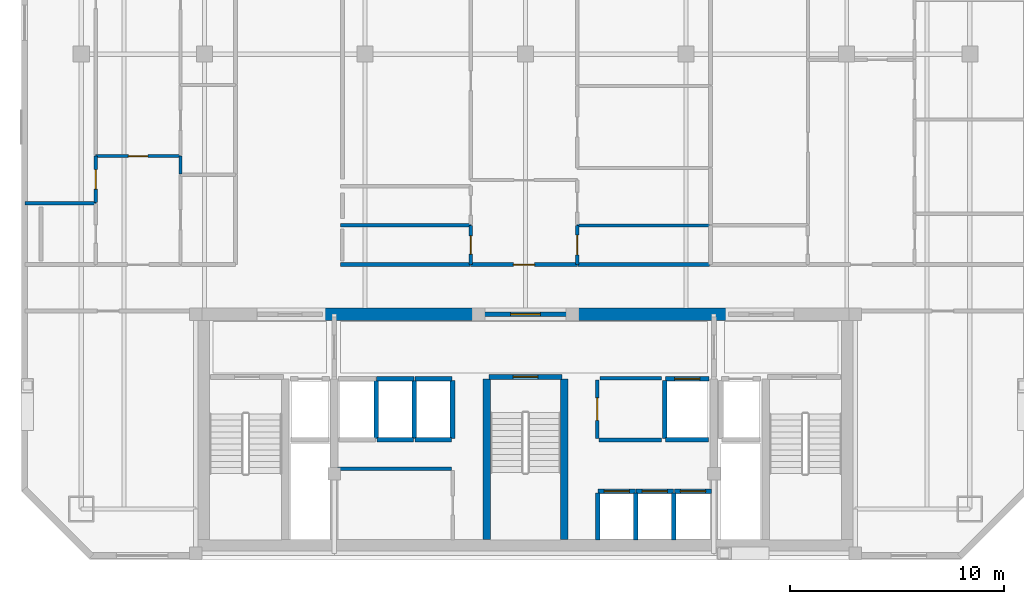
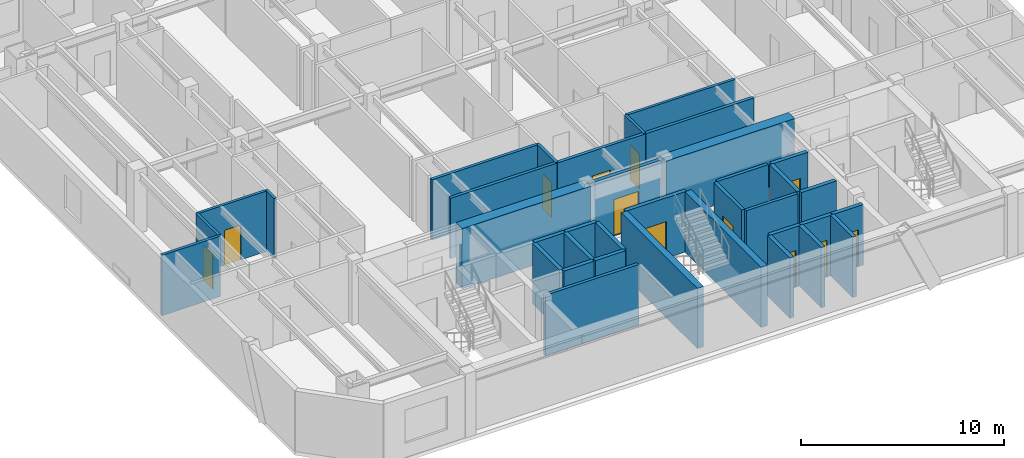
# One storey, part 3 of 8: 37 walls, 12 doors, 12 openings.
"""IFC4 building model written with IfcOpenShell, lengths in metres."""

from ifc_helpers import new_model, si_unit, direction, frame, frame_2d, origin, place, context, subcontext, project, spatial, rectangle, extrude, material, layer, layer_set, type_object, element, fill, save


model = new_model("IFC4")

# Units and contexts
model_context = context("Model", 3, precision=1e-05, world=origin(), true_north=direction((0.0, 1.0)))
body_context = subcontext(model_context, "Body", "Model", "MODEL_VIEW")
ifc_project = project(units=[si_unit("LENGTHUNIT", "METRE"), si_unit("AREAUNIT", "SQUARE_METRE"), si_unit("VOLUMEUNIT", "CUBIC_METRE"), si_unit("PLANEANGLEUNIT", "RADIAN"), si_unit("MASSUNIT", "GRAM", prefix="KILO")], contexts=[model_context])

# Site, building, storey
site_placement = place(None, origin())
site = spatial("IfcSite", under=ifc_project, at=site_placement, CompositionType="ELEMENT")
building_placement = place(site_placement, origin())
building = spatial("IfcBuilding", under=site, at=building_placement, Name="Ventersveld Concourse Tower", CompositionType="ELEMENT")
storey_placement = place(building_placement, frame((0.0, 0.0, 196.449951171875)))
storey = spatial("IfcBuildingStorey", under=building, at=storey_placement, Name="L48", CompositionType="ELEMENT", Elevation=196.449951171875)

# Walls
ifc_material_1 = material(Name="Concrete C50/60", Category="concrete")
ifc_layer_1 = layer(ifc_material_1, 0.35009765625)
ifc_layer_set_1 = layer_set([ifc_layer_1], Name="Concrete C50/60")
wall_type_1 = type_object("IfcWallType", Name="WL-CORE-350U", PredefinedType="SHEAR", material=ifc_layer_set_1)
for number, where, z_axis, x_axis, name in (
    (1, (26.93994140625, 0.919921875, 0.0), (0.0, 0.0, 1.0), (0.0, 1.0, 0.0), "L48 Core Internal Shear Web W-ST3-W"),
    (2, (30.56005859375, 0.919921875, 0.0), (0.0, 0.0, 1.0), (0.0, 1.0, 0.0), "L48 Core Internal Shear Web W-ST3-E"),
):
    element("IfcWall", number, at=place(storey_placement, frame(where, z_axis=z_axis, x_axis=x_axis)), inside=storey, type_object=wall_type_1, Name=name, PredefinedType="SHEAR", context=body_context, shape_type="SweptSolid", body=[
        extrude(rectangle(XDim=7.5, YDim=0.35009765625, at=frame_2d((3.75, 0.0))), origin(), (0.0, 0.0, 1.0), 3.630126953125),
    ])
ifc_layer_2 = layer(ifc_material_1, 0.60009765625)
ifc_layer_set_2 = layer_set([ifc_layer_2], Name="Concrete C50/60")
wall_type_2 = type_object("IfcWallType", Name="WL-CORE-600", PredefinedType="SHEAR", material=ifc_layer_set_2)
for number, where, z_axis, x_axis, name in (
    (3, (19.300048828125, 11.449951171875, 0.0), (0.0, 0.0, 1.0), (1.0, 0.0, 0.0), "L48 Rear Core North Shear Wall NML"),
    (4, (30.89990234375, 11.449951171875, 0.0), (0.0, 0.0, 1.0), (1.0, 0.0, 0.0), "L48 Rear Core North Shear Wall NMR"),
):
    element("IfcWall", number, at=place(storey_placement, frame(where, z_axis=z_axis, x_axis=x_axis)), inside=storey, type_object=wall_type_2, Name=name, PredefinedType="SHEAR", context=body_context, shape_type="SweptSolid", body=[
        extrude(rectangle(XDim=7.300048828125, YDim=0.60009765625, at=frame_2d((3.64990234375, 0.0))), origin(), (0.0, 0.0, 1.0), 3.630126953125),
    ])
ifc_material_2 = material(Name="Fire-rated autoclaved aerated masonry blockwork", Category="masonry")
ifc_layer_3 = layer(ifc_material_2, 0.179931640625)
ifc_layer_set_3 = layer_set([ifc_layer_3], Name="Fire-rated autoclaved aerated masonry blockwork")
wall_type_3 = type_object("IfcWallType", Name="WL-CORR-180", PredefinedType="PARTITIONING", material=ifc_layer_set_3)
wall_1_placement = place(storey_placement, frame((19.97998046875, 4.22998046875, 0.0), z_axis=(0.0, 0.0, 1.0), x_axis=(1.0, 0.0, 0.0)))
element("IfcWall", 5, at=wall_1_placement, inside=storey, type_object=wall_type_3, Name="L48 Core Top Wall SP-L48-RECB1A", PredefinedType="PARTITIONING", context=body_context, shape_type="SweptSolid", body=[
    extrude(rectangle(XDim=5.320068359375, YDim=0.179931640625, at=frame_2d((2.66015625, 0.0))), origin(), (0.0, 0.0, 1.0), 3.630126953125),
])

# Wall, opening, door
wall_2_placement = place(storey_placement, frame((32.10009765625, 5.64990234375, 0.0), z_axis=(0.0, 0.0, 1.0), x_axis=(0.0, 1.0, 0.0)))
wall_2 = element("IfcWall", 6, at=wall_2_placement, inside=storey, type_object=wall_type_3, Name="L48 Core Passage Wall SP-L48-CBAY1", PredefinedType="PARTITIONING", context=body_context, shape_type="SweptSolid", body=[
    extrude(rectangle(XDim=2.72998046875, YDim=0.179931640625, at=frame_2d((1.364990234375, 0.0))), origin(), (0.0, 0.0, 1.0), 3.630126953125),
])
opening_1_placement = place(wall_2_placement, frame((0.840087890625, 0.0, 0.0)))
opening_1 = element("IfcOpeningElement", 7, at=opening_1_placement, cuts=wall_2, Name="Opening ID3", PredefinedType="OPENING", context=body_context, shape_type="SweptSolid", body=[
    extrude(rectangle(XDim=1.050048828125, YDim=2.14990234375, at=frame_2d((0.52490234375, 1.074951171875))), frame((0.0, 0.10009765625, 0.0), z_axis=(0.0, -1.0, 0.0), x_axis=(1.0, 0.0, 0.0)), (0.0, 0.0, 1.0), 0.199951171875),
])
ifc_material_3 = material(Name="Solid-core hardwood veneer timber", Category="wood")
door_type_1 = type_object("IfcDoorType", Name="DR-AWC-105", OperationType="NOTDEFINED", PredefinedType="DOOR", material=ifc_material_3)
door_1_placement = place(opening_1_placement, origin())
door_1 = element("IfcDoor", 8, at=door_1_placement, inside=storey, type_object=door_type_1, Name="L48 Core Room Door L48 Core Unisex Accessible WC (CD-L48-2343)", OperationType="SINGLE_SWING_RIGHT", OverallHeight=2.14990234375, OverallWidth=1.050048828125, PredefinedType="DOOR", context=body_context, shape_type="SweptSolid", body=[
    extrude(rectangle(XDim=1.050048828125, YDim=2.14990234375, at=frame_2d((0.52490234375, 1.074951171875))), frame((0.0, 0.02490234375, 0.0), z_axis=(0.0, -1.0, 0.0), x_axis=(1.0, 0.0, 0.0)), (0.0, 0.0, 1.0), 0.050048828125),
])
fill(opening_1, door_1)

# Walls
wall_3_placement = place(storey_placement, frame((32.219970703125, 8.4599609375, 0.0), z_axis=(0.0, 0.0, 1.0), x_axis=(1.0, 0.0, 0.0)))
element("IfcWall", 9, at=wall_3_placement, inside=storey, type_object=wall_type_3, Name="L48 Core Top Wall SP-L48-CBAY1", PredefinedType="PARTITIONING", context=body_context, shape_type="SweptSolid", body=[
    extrude(rectangle(XDim=2.880126953125, YDim=0.179931640625, at=frame_2d((1.43994140625, 0.0))), origin(), (0.0, 0.0, 1.0), 3.630126953125),
])
wall_4_placement = place(storey_placement, frame((32.179931640625, 5.570068359375, 0.0), z_axis=(0.0, 0.0, 1.0), x_axis=(1.0, 0.0, 0.0)))
element("IfcWall", 10, at=wall_4_placement, inside=storey, type_object=wall_type_3, Name="L48 Core Bot Wall SP-L48-CBAY1", PredefinedType="PARTITIONING", context=body_context, shape_type="SweptSolid", body=[
    extrude(rectangle(XDim=2.920166015625, YDim=0.179931640625, at=frame_2d((1.4599609375, 0.0))), origin(), (0.0, 0.0, 1.0), 3.630126953125),
])

# Wall, opening, door
wall_5_placement = place(storey_placement, frame((26.183837890625, 13.77001953125, 0.0), z_axis=(0.0, 0.0, 1.0), x_axis=(1.0, 0.0, 0.0)))
wall_5 = element("IfcWall", 11, at=wall_5_placement, inside=storey, type_object=wall_type_3, Name="L48 Interior Partition SP-L48-COR-SP-L48-48CM-FOY", PredefinedType="PARTITIONING", context=body_context, shape_type="SweptSolid", body=[
    extrude(rectangle(XDim=4.989990234375, YDim=0.179931640625, at=frame_2d((2.4951171875, 0.0))), origin(), (0.0, 0.0, 1.0), 3.630126953125),
])
opening_2_placement = place(wall_5_placement, frame((1.9951171875, 0.0, 0.0)))
opening_2 = element("IfcOpeningElement", 12, at=opening_2_placement, cuts=wall_5, Name="Opening FD3", PredefinedType="OPENING", context=body_context, shape_type="SweptSolid", body=[
    extrude(rectangle(XDim=1.0, YDim=2.14990234375, at=frame_2d((0.5, 1.074951171875))), frame((0.0, 0.10009765625, 0.0), z_axis=(0.0, -1.0, 0.0), x_axis=(1.0, 0.0, 0.0)), (0.0, 0.0, 1.0), 0.199951171875),
])
door_type_2 = type_object("IfcDoorType", Name="DR-FLAT-100", OperationType="NOTDEFINED", PredefinedType="DOOR", material=ifc_material_3)
door_2_placement = place(opening_2_placement, origin())
door_2 = element("IfcDoor", 13, at=door_2_placement, inside=storey, type_object=door_type_2, Name="L48 Interior Door SP-L48-COR to SP-L48-48CM-FOY (FD-L48-2348)", OperationType="SINGLE_SWING_RIGHT", OverallHeight=2.14990234375, OverallWidth=1.0, PredefinedType="DOOR", context=body_context, shape_type="SweptSolid", body=[
    extrude(rectangle(XDim=1.0, YDim=2.14990234375, at=frame_2d((0.5, 1.074951171875))), frame((0.0, 0.02490234375, 0.0), z_axis=(0.0, -1.0, 0.0), x_axis=(1.0, 0.0, 0.0)), (0.0, 0.0, 1.0), 0.050048828125),
])
fill(opening_2, door_2)

# Walls
wall_6_placement = place(storey_placement, frame((20.10498046875, 13.77001953125, 0.0), z_axis=(0.0, 0.0, 1.0), x_axis=(1.0, 0.0, 0.0)))
element("IfcWall", 14, at=wall_6_placement, inside=storey, type_object=wall_type_3, Name="L48 Interior Partition SP-L48-COR-SP-L48-48CM-BATH", PredefinedType="PARTITIONING", context=body_context, shape_type="SweptSolid", body=[
    extrude(rectangle(XDim=6.048828125, YDim=0.179931640625, at=frame_2d((3.0244140625, 0.0))), origin(), (0.0, 0.0, 1.0), 3.630126953125),
])
wall_7_placement = place(storey_placement, frame((31.203857421875, 13.77001953125, 0.0), z_axis=(0.0, 0.0, 1.0), x_axis=(1.0, 0.0, 0.0)))
element("IfcWall", 15, at=wall_7_placement, inside=storey, type_object=wall_type_3, Name="L48 Interior Partition SP-L48-COR-SP-L48-48CM-KIT", PredefinedType="PARTITIONING", context=body_context, shape_type="SweptSolid", body=[
    extrude(rectangle(XDim=6.151123046875, YDim=0.179931640625, at=frame_2d((3.07568359375, 0.0))), origin(), (0.0, 0.0, 1.0), 3.630126953125),
])
ifc_layer_4 = layer(ifc_material_2, 0.219970703125)
ifc_layer_set_4 = layer_set([ifc_layer_4], Name="Fire-rated autoclaved aerated masonry blockwork")
wall_type_4 = type_object("IfcWallType", Name="WL-HOIST-220", PredefinedType="SOLIDWALL", material=ifc_layer_set_4)
wall_8_placement = place(storey_placement, frame((35.300048828125, 5.590087890625, 0.0), z_axis=(0.0, 0.0, 1.0), x_axis=(1.0, 0.0, 0.0)))
element("IfcWall", 16, at=wall_8_placement, inside=storey, type_object=wall_type_4, Name="L48 Lift Hoistway Back Wall SVL-01", PredefinedType="SOLIDWALL", context=body_context, shape_type="SweptSolid", body=[
    extrude(rectangle(XDim=2.0, YDim=0.219970703125, at=frame_2d((1.0, 0.0))), origin(), (0.0, 0.0, 1.0), 3.630126953125),
])
wall_9_placement = place(storey_placement, frame((35.260009765625, 5.64990234375, 0.0), z_axis=(0.0, 0.0, 1.0), x_axis=(0.0, 1.0, 0.0)))
element("IfcWall", 17, at=wall_9_placement, inside=storey, type_object=wall_type_4, Name="L48 Lift Hoistway Side Wall SVL-01W", PredefinedType="SOLIDWALL", context=body_context, shape_type="SweptSolid", body=[
    extrude(rectangle(XDim=2.7001953125, YDim=0.219970703125, at=frame_2d((1.35009765625, 0.0))), origin(), (0.0, 0.0, 1.0), 3.630126953125),
])

# Wall, opening, door
wall_10_placement = place(storey_placement, frame((35.280029296875, 8.429931640625, 0.0), z_axis=(0.0, 0.0, 1.0), x_axis=(1.0, 0.0, 0.0)))
wall_10 = element("IfcWall", 18, at=wall_10_placement, inside=storey, type_object=wall_type_4, Name="L48 Lift Hoistway Front Wall SVL-01", PredefinedType="SOLIDWALL", context=body_context, shape_type="SweptSolid", body=[
    extrude(rectangle(XDim=2.0400390625, YDim=0.219970703125, at=frame_2d((1.02001953125, 0.0))), origin(), (0.0, 0.0, 1.0), 3.630126953125),
])
opening_3_placement = place(wall_10_placement, frame((0.429931640625, 0.0, 0.0)))
opening_3 = element("IfcOpeningElement", 19, at=opening_3_placement, cuts=wall_10, Name="Opening LD2", PredefinedType="OPENING", context=body_context, shape_type="SweptSolid", body=[
    extrude(rectangle(XDim=1.179931640625, YDim=2.199951171875, at=frame_2d((0.58984375, 1.10009765625))), frame((0.0, 0.1201171875, 0.0), z_axis=(0.0, -1.0, 0.0), x_axis=(1.0, 0.0, 0.0)), (0.0, 0.0, 1.0), 0.239990234375),
])
ifc_material_4 = material(Name="Brushed stainless steel 316", Category="steel")
door_type_3 = type_object("IfcDoorType", Name="LD-PAX-118", OperationType="SLIDING_TO_LEFT", PredefinedType="DOOR", material=ifc_material_4)
door_3_placement = place(opening_3_placement, origin())
door_3 = element("IfcDoor", 20, at=door_3_placement, inside=storey, type_object=door_type_3, Name="L48 Lift landing door SVL-01 (LD-L48-SVL-01)", OperationType="SLIDING_TO_LEFT", OverallHeight=2.199951171875, OverallWidth=1.179931640625, PredefinedType="DOOR", context=body_context, shape_type="SweptSolid", body=[
    extrude(rectangle(XDim=1.179931640625, YDim=2.199951171875, at=frame_2d((0.58984375, 1.10009765625))), frame((0.0, 0.02490234375, 0.0), z_axis=(0.0, -1.0, 0.0), x_axis=(1.0, 0.0, 0.0)), (0.0, 0.0, 1.0), 0.050048828125),
])
fill(opening_3, door_3)

# Walls
for number, where, z_axis, x_axis, name in (
    (21, (32.1201171875, 0.89990234375, 0.0), (0.0, 0.0, 1.0), (0.0, 1.0, 0.0), "L48 Lift Hoistway Side Wall PM-01W"),
    (22, (33.89990234375, 0.89990234375, 0.0), (0.0, 0.0, 1.0), (0.0, 1.0, 0.0), "L48 Lift Hoistway Side Wall PM-01E"),
):
    element("IfcWall", number, at=place(storey_placement, frame(where, z_axis=z_axis, x_axis=x_axis)), inside=storey, type_object=wall_type_4, Name=name, PredefinedType="SOLIDWALL", context=body_context, shape_type="SweptSolid", body=[
        extrude(rectangle(XDim=2.2001953125, YDim=0.219970703125, at=frame_2d((1.10009765625, 0.0))), origin(), (0.0, 0.0, 1.0), 3.630126953125),
    ])

# Wall, opening, door
wall_11_placement = place(storey_placement, frame((32.139892578125, 3.179931640625, 0.0), z_axis=(0.0, 0.0, 1.0), x_axis=(1.0, 0.0, 0.0)))
wall_11 = element("IfcWall", 23, at=wall_11_placement, inside=storey, type_object=wall_type_4, Name="L48 Lift Hoistway Front Wall PM-01", PredefinedType="SOLIDWALL", context=body_context, shape_type="SweptSolid", body=[
    extrude(rectangle(XDim=1.739990234375, YDim=0.219970703125, at=frame_2d((0.8701171875, 0.0))), origin(), (0.0, 0.0, 1.0), 3.630126953125),
])
opening_4_placement = place(wall_11_placement, frame((0.280029296875, 0.0, 0.0)))
opening_4 = element("IfcOpeningElement", 24, at=opening_4_placement, cuts=wall_11, Name="Opening LD2", PredefinedType="OPENING", context=body_context, shape_type="SweptSolid", body=[
    extrude(rectangle(XDim=1.179931640625, YDim=2.199951171875, at=frame_2d((0.58984375, 1.10009765625))), frame((0.0, 0.1201171875, 0.0), z_axis=(0.0, -1.0, 0.0), x_axis=(1.0, 0.0, 0.0)), (0.0, 0.0, 1.0), 0.239990234375),
])
door_4_placement = place(opening_4_placement, origin())
door_4 = element("IfcDoor", 25, at=door_4_placement, inside=storey, type_object=door_type_3, Name="L48 Lift landing door PM-01 (LD-L48-PM-01)", OperationType="SLIDING_TO_RIGHT", OverallHeight=2.199951171875, OverallWidth=1.179931640625, PredefinedType="DOOR", context=body_context, shape_type="SweptSolid", body=[
    extrude(rectangle(XDim=1.179931640625, YDim=2.199951171875, at=frame_2d((0.58984375, 1.10009765625))), frame((0.0, 0.02490234375, 0.0), z_axis=(0.0, -1.0, 0.0), x_axis=(1.0, 0.0, 0.0)), (0.0, 0.0, 1.0), 0.050048828125),
])
fill(opening_4, door_4)

# Wall
wall_12_placement = place(storey_placement, frame((35.679931640625, 0.89990234375, 0.0), z_axis=(0.0, 0.0, 1.0), x_axis=(0.0, 1.0, 0.0)))
element("IfcWall", 26, at=wall_12_placement, inside=storey, type_object=wall_type_4, Name="L48 Lift Hoistway Side Wall PM-02E", PredefinedType="SOLIDWALL", context=body_context, shape_type="SweptSolid", body=[
    extrude(rectangle(XDim=2.2001953125, YDim=0.219970703125, at=frame_2d((1.10009765625, 0.0))), origin(), (0.0, 0.0, 1.0), 3.630126953125),
])

# Wall, opening, door
wall_13_placement = place(storey_placement, frame((33.919921875, 3.179931640625, 0.0), z_axis=(0.0, 0.0, 1.0), x_axis=(1.0, 0.0, 0.0)))
wall_13 = element("IfcWall", 27, at=wall_13_placement, inside=storey, type_object=wall_type_4, Name="L48 Lift Hoistway Front Wall PM-02", PredefinedType="SOLIDWALL", context=body_context, shape_type="SweptSolid", body=[
    extrude(rectangle(XDim=1.739990234375, YDim=0.219970703125, at=frame_2d((0.8701171875, 0.0))), origin(), (0.0, 0.0, 1.0), 3.630126953125),
])
opening_5_placement = place(wall_13_placement, frame((0.280029296875, 0.0, 0.0)))
opening_5 = element("IfcOpeningElement", 28, at=opening_5_placement, cuts=wall_13, Name="Opening LD2", PredefinedType="OPENING", context=body_context, shape_type="SweptSolid", body=[
    extrude(rectangle(XDim=1.179931640625, YDim=2.199951171875, at=frame_2d((0.58984375, 1.10009765625))), frame((0.0, 0.1201171875, 0.0), z_axis=(0.0, -1.0, 0.0), x_axis=(1.0, 0.0, 0.0)), (0.0, 0.0, 1.0), 0.239990234375),
])
door_5_placement = place(opening_5_placement, origin())
door_5 = element("IfcDoor", 29, at=door_5_placement, inside=storey, type_object=door_type_3, Name="L48 Lift landing door PM-02 (LD-L48-PM-02)", OperationType="SLIDING_TO_LEFT", OverallHeight=2.199951171875, OverallWidth=1.179931640625, PredefinedType="DOOR", context=body_context, shape_type="SweptSolid", body=[
    extrude(rectangle(XDim=1.179931640625, YDim=2.199951171875, at=frame_2d((0.58984375, 1.10009765625))), frame((0.0, 0.02490234375, 0.0), z_axis=(0.0, -1.0, 0.0), x_axis=(1.0, 0.0, 0.0)), (0.0, 0.0, 1.0), 0.050048828125),
])
fill(opening_5, door_5)

wall_14_placement = place(storey_placement, frame((35.699951171875, 3.179931640625, 0.0), z_axis=(0.0, 0.0, 1.0), x_axis=(1.0, 0.0, 0.0)))
wall_14 = element("IfcWall", 30, at=wall_14_placement, inside=storey, type_object=wall_type_4, Name="L48 Lift Hoistway Front Wall PM-03", PredefinedType="SOLIDWALL", context=body_context, shape_type="SweptSolid", body=[
    extrude(rectangle(XDim=1.739990234375, YDim=0.219970703125, at=frame_2d((0.8701171875, 0.0))), origin(), (0.0, 0.0, 1.0), 3.630126953125),
])
opening_6_placement = place(wall_14_placement, frame((0.280029296875, 0.0, 0.0)))
opening_6 = element("IfcOpeningElement", 31, at=opening_6_placement, cuts=wall_14, Name="Opening LD2", PredefinedType="OPENING", context=body_context, shape_type="SweptSolid", body=[
    extrude(rectangle(XDim=1.179931640625, YDim=2.199951171875, at=frame_2d((0.58984375, 1.10009765625))), frame((0.0, 0.1201171875, 0.0), z_axis=(0.0, -1.0, 0.0), x_axis=(1.0, 0.0, 0.0)), (0.0, 0.0, 1.0), 0.239990234375),
])
door_6_placement = place(opening_6_placement, origin())
door_6 = element("IfcDoor", 32, at=door_6_placement, inside=storey, type_object=door_type_3, Name="L48 Lift landing door PM-03 (LD-L48-PM-03)", OperationType="SLIDING_TO_RIGHT", OverallHeight=2.199951171875, OverallWidth=1.179931640625, PredefinedType="DOOR", context=body_context, shape_type="SweptSolid", body=[
    extrude(rectangle(XDim=1.179931640625, YDim=2.199951171875, at=frame_2d((0.58984375, 1.10009765625))), frame((0.0, 0.02490234375, 0.0), z_axis=(0.0, -1.0, 0.0), x_axis=(1.0, 0.0, 0.0)), (0.0, 0.0, 1.0), 0.050048828125),
])
fill(opening_6, door_6)

# Walls
wall_15_placement = place(storey_placement, frame((21.780029296875, 5.64990234375, 0.0), z_axis=(0.0, 0.0, 1.0), x_axis=(0.0, 1.0, 0.0)))
element("IfcWall", 33, at=wall_15_placement, inside=storey, type_object=wall_type_4, Name="L48 Lift Hoistway Side Wall PH-01E", PredefinedType="SOLIDWALL", context=body_context, shape_type="SweptSolid", body=[
    extrude(rectangle(XDim=2.7001953125, YDim=0.219970703125, at=frame_2d((1.35009765625, 0.0))), origin(), (0.0, 0.0, 1.0), 3.630126953125),
])
wall_16_placement = place(storey_placement, frame((21.820068359375, 5.590087890625, 0.0), z_axis=(0.0, 0.0, 1.0), x_axis=(1.0, 0.0, 0.0)))
element("IfcWall", 34, at=wall_16_placement, inside=storey, type_object=wall_type_4, Name="L48 Lift Hoistway Back Wall PH-02", PredefinedType="SOLIDWALL", context=body_context, shape_type="SweptSolid", body=[
    extrude(rectangle(XDim=1.699951171875, YDim=0.219970703125, at=frame_2d((0.85009765625, 0.0))), origin(), (0.0, 0.0, 1.0), 3.630126953125),
])
wall_17_placement = place(storey_placement, frame((23.56005859375, 5.64990234375, 0.0), z_axis=(0.0, 0.0, 1.0), x_axis=(0.0, 1.0, 0.0)))
element("IfcWall", 35, at=wall_17_placement, inside=storey, type_object=wall_type_4, Name="L48 Lift Hoistway Side Wall PH-02E", PredefinedType="SOLIDWALL", context=body_context, shape_type="SweptSolid", body=[
    extrude(rectangle(XDim=2.7001953125, YDim=0.219970703125, at=frame_2d((1.35009765625, 0.0))), origin(), (0.0, 0.0, 1.0), 3.630126953125),
])
wall_18_placement = place(storey_placement, frame((21.800048828125, 8.429931640625, 0.0), z_axis=(0.0, 0.0, 1.0), x_axis=(1.0, 0.0, 0.0)))
element("IfcWall", 36, at=wall_18_placement, inside=storey, type_object=wall_type_4, Name="L48 Lift Hoistway Front Wall PH-02", PredefinedType="SOLIDWALL", context=body_context, shape_type="SweptSolid", body=[
    extrude(rectangle(XDim=1.739990234375, YDim=0.219970703125, at=frame_2d((0.8701171875, 0.0))), origin(), (0.0, 0.0, 1.0), 3.630126953125),
])
wall_19_placement = place(storey_placement, frame((23.60009765625, 5.590087890625, 0.0), z_axis=(0.0, 0.0, 1.0), x_axis=(1.0, 0.0, 0.0)))
element("IfcWall", 37, at=wall_19_placement, inside=storey, type_object=wall_type_4, Name="L48 Lift Hoistway Back Wall PH-03", PredefinedType="SOLIDWALL", context=body_context, shape_type="SweptSolid", body=[
    extrude(rectangle(XDim=1.699951171875, YDim=0.219970703125, at=frame_2d((0.85009765625, 0.0))), origin(), (0.0, 0.0, 1.0), 3.630126953125),
])
wall_20_placement = place(storey_placement, frame((25.340087890625, 5.64990234375, 0.0), z_axis=(0.0, 0.0, 1.0), x_axis=(0.0, 1.0, 0.0)))
element("IfcWall", 38, at=wall_20_placement, inside=storey, type_object=wall_type_4, Name="L48 Lift Hoistway Side Wall PH-03E", PredefinedType="SOLIDWALL", context=body_context, shape_type="SweptSolid", body=[
    extrude(rectangle(XDim=2.7001953125, YDim=0.219970703125, at=frame_2d((1.35009765625, 0.0))), origin(), (0.0, 0.0, 1.0), 3.630126953125),
])
wall_21_placement = place(storey_placement, frame((23.580078125, 8.429931640625, 0.0), z_axis=(0.0, 0.0, 1.0), x_axis=(1.0, 0.0, 0.0)))
element("IfcWall", 39, at=wall_21_placement, inside=storey, type_object=wall_type_4, Name="L48 Lift Hoistway Front Wall PH-03", PredefinedType="SOLIDWALL", context=body_context, shape_type="SweptSolid", body=[
    extrude(rectangle(XDim=1.739990234375, YDim=0.219970703125, at=frame_2d((0.8701171875, 0.0))), origin(), (0.0, 0.0, 1.0), 3.630126953125),
])

# Wall, opening, door
wall_22_placement = place(storey_placement, frame((27.0400390625, 8.52001953125, 0.0), z_axis=(0.0, 0.0, 1.0), x_axis=(1.0, 0.0, 0.0)))
wall_22 = element("IfcWall", 40, at=wall_22_placement, inside=storey, type_object=wall_type_4, Name="L48 Escape Stair ST03 Fire Wall", PredefinedType="SOLIDWALL", context=body_context, shape_type="SweptSolid", body=[
    extrude(rectangle(XDim=3.419921875, YDim=0.219970703125, at=frame_2d((1.7099609375, 0.0))), origin(), (0.0, 0.0, 1.0), 3.630126953125),
])
opening_7_placement = place(wall_22_placement, frame((1.135009765625, 0.0, 0.0)))
opening_7 = element("IfcOpeningElement", 41, at=opening_7_placement, cuts=wall_22, Name="Opening FD1", PredefinedType="OPENING", context=body_context, shape_type="SweptSolid", body=[
    extrude(rectangle(XDim=1.14990234375, YDim=2.199951171875, at=frame_2d((0.574951171875, 1.10009765625))), frame((0.0, 0.1201171875, 0.0), z_axis=(0.0, -1.0, 0.0), x_axis=(1.0, 0.0, 0.0)), (0.0, 0.0, 1.0), 0.239990234375),
])
ifc_material_5 = material(Name="Galvanised painted steel", Category="steel")
door_type_4 = type_object("IfcDoorType", Name="DR-STAIR-115", OperationType="NOTDEFINED", PredefinedType="DOOR", material=ifc_material_5)
door_7_placement = place(opening_7_placement, origin())
door_7 = element("IfcDoor", 42, at=door_7_placement, inside=storey, type_object=door_type_4, Name="L48 Escape Stair Door ST03 (SD-L48-2336)", OperationType="SINGLE_SWING_LEFT", OverallHeight=2.199951171875, OverallWidth=1.14990234375, PredefinedType="DOOR", context=body_context, shape_type="SweptSolid", body=[
    extrude(rectangle(XDim=1.14990234375, YDim=2.199951171875, at=frame_2d((0.574951171875, 1.10009765625))), frame((0.0, 0.02490234375, 0.0), z_axis=(0.0, -1.0, 0.0), x_axis=(1.0, 0.0, 0.0)), (0.0, 0.0, 1.0), 0.050048828125),
])
fill(opening_7, door_7)

wall_23_placement = place(storey_placement, frame((26.6298828125, 11.449951171875, 0.0), z_axis=(0.0, 0.0, 1.0), x_axis=(1.0, 0.0, 0.0)))
wall_23 = element("IfcWall", 43, at=wall_23_placement, inside=storey, type_object=wall_type_4, Name="L48 Core North Fire Portal PLOB-OUT", PredefinedType="SOLIDWALL", context=body_context, shape_type="SweptSolid", body=[
    extrude(rectangle(XDim=4.240234375, YDim=0.219970703125, at=frame_2d((2.1201171875, 0.0))), origin(), (0.0, 0.0, 1.0), 3.630126953125),
])
opening_8_placement = place(wall_23_placement, frame((1.419921875, 0.0, 0.0)))
opening_8 = element("IfcOpeningElement", 44, at=opening_8_placement, cuts=wall_23, Name="Opening FD4", PredefinedType="OPENING", context=body_context, shape_type="SweptSolid", body=[
    extrude(rectangle(XDim=1.39990234375, YDim=2.199951171875, at=frame_2d((0.699951171875, 1.10009765625))), frame((0.0, 0.1201171875, 0.0), z_axis=(0.0, -1.0, 0.0), x_axis=(1.0, 0.0, 0.0)), (0.0, 0.0, 1.0), 0.239990234375),
])
door_type_5 = type_object("IfcDoorType", Name="DR-PLANT-140", OperationType="DOUBLE_DOOR_SINGLE_SWING", PredefinedType="DOOR", material=ifc_material_5)
door_8_placement = place(opening_8_placement, origin())
door_8 = element("IfcDoor", 45, at=door_8_placement, inside=storey, type_object=door_type_5, Name="L48 Core Lobby Fire Door PLOB-OUT (FD-L48-2340)", OperationType="DOUBLE_DOOR_SINGLE_SWING", OverallHeight=2.199951171875, OverallWidth=1.39990234375, PredefinedType="DOOR", context=body_context, shape_type="SweptSolid", body=[
    extrude(rectangle(XDim=1.39990234375, YDim=2.199951171875, at=frame_2d((0.699951171875, 1.10009765625))), frame((0.0, 0.02490234375, 0.0), z_axis=(0.0, -1.0, 0.0), x_axis=(1.0, 0.0, 0.0)), (0.0, 0.0, 1.0), 0.050048828125),
])
fill(opening_8, door_8)

ifc_material_6 = material(Name="Autoclaved aerated masonry blockwork", Category="masonry")
ifc_layer_5 = layer(ifc_material_6, 0.14990234375)
ifc_layer_set_5 = layer_set([ifc_layer_5], Name="Autoclaved aerated masonry blockwork")
wall_type_5 = type_object("IfcWallType", Name="WL-INT-150", PredefinedType="PARTITIONING", material=ifc_layer_set_5)
wall_24_placement = place(storey_placement, frame((8.67236328125, 18.83349609375, 0.0), z_axis=(0.0, 0.0, 1.0), x_axis=(1.0, 0.0, 0.0)))
wall_24 = element("IfcWall", 46, at=wall_24_placement, inside=storey, type_object=wall_type_5, Name="L48 Interior Partition SP-L48-48NW-FOY-SP-L48-48NW-LIV", PredefinedType="PARTITIONING", context=body_context, shape_type="SweptSolid", body=[
    extrude(rectangle(XDim=3.969970703125, YDim=0.14990234375, at=frame_2d((1.98486328125, 0.0))), origin(), (0.0, 0.0, 1.0), 3.630126953125),
])
opening_9_placement = place(wall_24_placement, frame((1.52490234375, 0.0, 0.0)))
opening_9 = element("IfcOpeningElement", 47, at=opening_9_placement, cuts=wall_24, Name="Opening ID1", PredefinedType="OPENING", context=body_context, shape_type="SweptSolid", body=[
    extrude(rectangle(XDim=0.919921875, YDim=2.10009765625, at=frame_2d((0.4599609375, 1.050048828125))), frame((0.0, 0.0849609375, 0.0), z_axis=(0.0, -1.0, 0.0), x_axis=(1.0, 0.0, 0.0)), (0.0, 0.0, 1.0), 0.169921875),
])
door_type_6 = type_object("IfcDoorType", Name="DR-ROOM-092", OperationType="NOTDEFINED", PredefinedType="DOOR", material=ifc_material_3)
door_9_placement = place(opening_9_placement, origin())
door_9 = element("IfcDoor", 48, at=door_9_placement, inside=storey, type_object=door_type_6, Name="L48 Interior Door SP-L48-48NW-FOY to SP-L48-48NW-LIV (D-L48-2349)", OperationType="SINGLE_SWING_LEFT", OverallHeight=2.10009765625, OverallWidth=0.919921875, PredefinedType="DOOR", context=body_context, shape_type="SweptSolid", body=[
    extrude(rectangle(XDim=0.919921875, YDim=2.10009765625, at=frame_2d((0.4599609375, 1.050048828125))), frame((0.0, 0.02490234375, 0.0), z_axis=(0.0, -1.0, 0.0), x_axis=(1.0, 0.0, 0.0)), (0.0, 0.0, 1.0), 0.050048828125),
])
fill(opening_9, door_9)

wall_25_placement = place(storey_placement, frame((8.677490234375, 16.659912109375, 0.0), z_axis=(0.0, 0.0, 1.0), x_axis=(0.0, 1.0, 0.0)))
wall_25 = element("IfcWall", 49, at=wall_25_placement, inside=storey, type_object=wall_type_5, Name="L48 Interior Partition SP-L48-48NW-FOY-SP-L48-48NW-OFFL0", PredefinedType="PARTITIONING", context=body_context, shape_type="SweptSolid", body=[
    extrude(rectangle(XDim=2.178466796875, YDim=0.14990234375, at=frame_2d((1.08935546875, 0.0))), origin(), (0.0, 0.0, 1.0), 3.630126953125),
])
opening_10_placement = place(wall_25_placement, frame((0.629150390625, 0.0, 0.0)))
opening_10 = element("IfcOpeningElement", 50, at=opening_10_placement, cuts=wall_25, Name="Opening ID1", PredefinedType="OPENING", context=body_context, shape_type="SweptSolid", body=[
    extrude(rectangle(XDim=0.919921875, YDim=2.10009765625, at=frame_2d((0.4599609375, 1.050048828125))), frame((0.0, 0.0849609375, 0.0), z_axis=(0.0, -1.0, 0.0), x_axis=(1.0, 0.0, 0.0)), (0.0, 0.0, 1.0), 0.169921875),
])
door_10_placement = place(opening_10_placement, origin())
door_10 = element("IfcDoor", 51, at=door_10_placement, inside=storey, type_object=door_type_6, Name="L48 Interior Door SP-L48-48NW-FOY to SP-L48-48NW-OFFL0 (D-L48-2351)", OperationType="SINGLE_SWING_LEFT", OverallHeight=2.10009765625, OverallWidth=0.919921875, PredefinedType="DOOR", context=body_context, shape_type="SweptSolid", body=[
    extrude(rectangle(XDim=0.919921875, YDim=2.10009765625, at=frame_2d((0.4599609375, 1.050048828125))), frame((0.0, 0.02490234375, 0.0), z_axis=(0.0, -1.0, 0.0), x_axis=(1.0, 0.0, 0.0)), (0.0, 0.0, 1.0), 0.050048828125),
])
fill(opening_10, door_10)

# Wall
wall_26_placement = place(storey_placement, frame((12.637451171875, 17.997314453125, 0.0), z_axis=(0.0, 0.0, 1.0), x_axis=(0.0, 1.0, 0.0)))
element("IfcWall", 52, at=wall_26_placement, inside=storey, type_object=wall_type_5, Name="L48 Interior Partition SP-L48-48NW-FOY-SP-L48-48NW-PANR1", PredefinedType="PARTITIONING", context=body_context, shape_type="SweptSolid", body=[
    extrude(rectangle(XDim=0.841064453125, YDim=0.14990234375, at=frame_2d((0.42041015625, 0.0))), origin(), (0.0, 0.0, 1.0), 3.630126953125),
])

# Wall, opening, door
wall_27_placement = place(storey_placement, frame((31.1689453125, 13.764892578125, 0.0), z_axis=(0.0, 0.0, 1.0), x_axis=(0.0, 1.0, 0.0)))
wall_27 = element("IfcWall", 53, at=wall_27_placement, inside=storey, type_object=wall_type_5, Name="L48 Interior Partition SP-L48-48CM-FOY-SP-L48-48CM-KIT", PredefinedType="PARTITIONING", context=body_context, shape_type="SweptSolid", body=[
    extrude(rectangle(XDim=1.840087890625, YDim=0.14990234375, at=frame_2d((0.919921875, 0.0))), origin(), (0.0, 0.0, 1.0), 3.630126953125),
])
opening_11_placement = place(wall_27_placement, frame((0.4599609375, 0.0, 0.0)))
opening_11 = element("IfcOpeningElement", 54, at=opening_11_placement, cuts=wall_27, Name="Opening ID1", PredefinedType="OPENING", context=body_context, shape_type="SweptSolid", body=[
    extrude(rectangle(XDim=0.919921875, YDim=2.10009765625, at=frame_2d((0.4599609375, 1.050048828125))), frame((0.0, 0.0849609375, 0.0), z_axis=(0.0, -1.0, 0.0), x_axis=(1.0, 0.0, 0.0)), (0.0, 0.0, 1.0), 0.169921875),
])
door_11_placement = place(opening_11_placement, origin())
door_11 = element("IfcDoor", 55, at=door_11_placement, inside=storey, type_object=door_type_6, Name="L48 Interior Door SP-L48-48CM-FOY to SP-L48-48CM-KIT (D-L48-2372)", OperationType="SINGLE_SWING_RIGHT", OverallHeight=2.10009765625, OverallWidth=0.919921875, PredefinedType="DOOR", context=body_context, shape_type="SweptSolid", body=[
    extrude(rectangle(XDim=0.919921875, YDim=2.10009765625, at=frame_2d((0.4599609375, 1.050048828125))), frame((0.0, 0.02490234375, 0.0), z_axis=(0.0, -1.0, 0.0), x_axis=(1.0, 0.0, 0.0)), (0.0, 0.0, 1.0), 0.050048828125),
])
fill(opening_11, door_11)

# Walls
wall_28_placement = place(storey_placement, frame((31.163818359375, 15.60009765625, 0.0), z_axis=(0.0, 0.0, 1.0), x_axis=(1.0, 0.0, 0.0)))
element("IfcWall", 56, at=wall_28_placement, inside=storey, type_object=wall_type_5, Name="L48 Interior Partition SP-L48-48CM-KIT-SP-L48-48CM-MEDR1", PredefinedType="PARTITIONING", context=body_context, shape_type="SweptSolid", body=[
    extrude(rectangle(XDim=6.191162109375, YDim=0.14990234375, at=frame_2d((3.095703125, 0.0))), origin(), (0.0, 0.0, 1.0), 3.630126953125),
])
ifc_layer_6 = layer(ifc_material_6, 0.1650390625)
ifc_layer_set_6 = layer_set([ifc_layer_6], Name="Autoclaved aerated masonry blockwork")
wall_type_6 = type_object("IfcWallType", Name="WL-WET-165", PredefinedType="PLUMBINGWALL", material=ifc_layer_set_6)
wall_29_placement = place(storey_placement, frame((5.37255859375, 16.625, 0.0), z_axis=(0.0, 0.0, 1.0), x_axis=(1.0, 0.0, 0.0)))
element("IfcWall", 57, at=wall_29_placement, inside=storey, type_object=wall_type_6, Name="L48 Interior Partition SP-L48-48NW-BATH-SP-L48-48NW-OFFL0", PredefinedType="PLUMBINGWALL", context=body_context, shape_type="SweptSolid", body=[
    extrude(rectangle(XDim=3.309814453125, YDim=0.1650390625, at=frame_2d((1.65478515625, 0.0))), origin(), (0.0, 0.0, 1.0), 3.630126953125),
])

# Wall, opening, door
wall_30_placement = place(storey_placement, frame((26.18896484375, 13.764892578125, 0.0), z_axis=(0.0, 0.0, 1.0), x_axis=(0.0, 1.0, 0.0)))
wall_30 = element("IfcWall", 58, at=wall_30_placement, inside=storey, type_object=wall_type_6, Name="L48 Interior Partition SP-L48-48CM-FOY-SP-L48-48CM-BATH", PredefinedType="PLUMBINGWALL", context=body_context, shape_type="SweptSolid", body=[
    extrude(rectangle(XDim=1.840087890625, YDim=0.1650390625, at=frame_2d((0.919921875, 0.0))), origin(), (0.0, 0.0, 1.0), 3.630126953125),
])
opening_12_placement = place(wall_30_placement, frame((0.4951171875, 0.0, 0.0)))
opening_12 = element("IfcOpeningElement", 59, at=opening_12_placement, cuts=wall_30, Name="Opening ID2", PredefinedType="OPENING", context=body_context, shape_type="SweptSolid", body=[
    extrude(rectangle(XDim=0.85009765625, YDim=2.10009765625, at=frame_2d((0.425048828125, 1.050048828125))), frame((0.0, 0.092529296875, 0.0), z_axis=(0.0, -1.0, 0.0), x_axis=(1.0, 0.0, 0.0)), (0.0, 0.0, 1.0), 0.18505859375),
])
door_type_7 = type_object("IfcDoorType", Name="DR-BATH-085", OperationType="NOTDEFINED", PredefinedType="DOOR", material=ifc_material_3)
door_12_placement = place(opening_12_placement, origin())
door_12 = element("IfcDoor", 60, at=door_12_placement, inside=storey, type_object=door_type_7, Name="L48 Interior Door SP-L48-48CM-FOY to SP-L48-48CM-BATH (D-L48-2370)", OperationType="SINGLE_SWING_RIGHT", OverallHeight=2.10009765625, OverallWidth=0.85009765625, PredefinedType="DOOR", context=body_context, shape_type="SweptSolid", body=[
    extrude(rectangle(XDim=0.85009765625, YDim=2.10009765625, at=frame_2d((0.425048828125, 1.050048828125))), frame((0.0, 0.02490234375, 0.0), z_axis=(0.0, -1.0, 0.0), x_axis=(1.0, 0.0, 0.0)), (0.0, 0.0, 1.0), 0.050048828125),
])
fill(opening_12, door_12)

# Wall
wall_31_placement = place(storey_placement, frame((20.10498046875, 15.60009765625, 0.0), z_axis=(0.0, 0.0, 1.0), x_axis=(1.0, 0.0, 0.0)))
element("IfcWall", 61, at=wall_31_placement, inside=storey, type_object=wall_type_6, Name="L48 Interior Partition SP-L48-48CM-BATH-SP-L48-48CM-PANL0", PredefinedType="PLUMBINGWALL", context=body_context, shape_type="SweptSolid", body=[
    extrude(rectangle(XDim=6.0888671875, YDim=0.1650390625, at=frame_2d((3.04443359375, 0.0))), origin(), (0.0, 0.0, 1.0), 3.630126953125),
])

save(model, "model.ifc")
